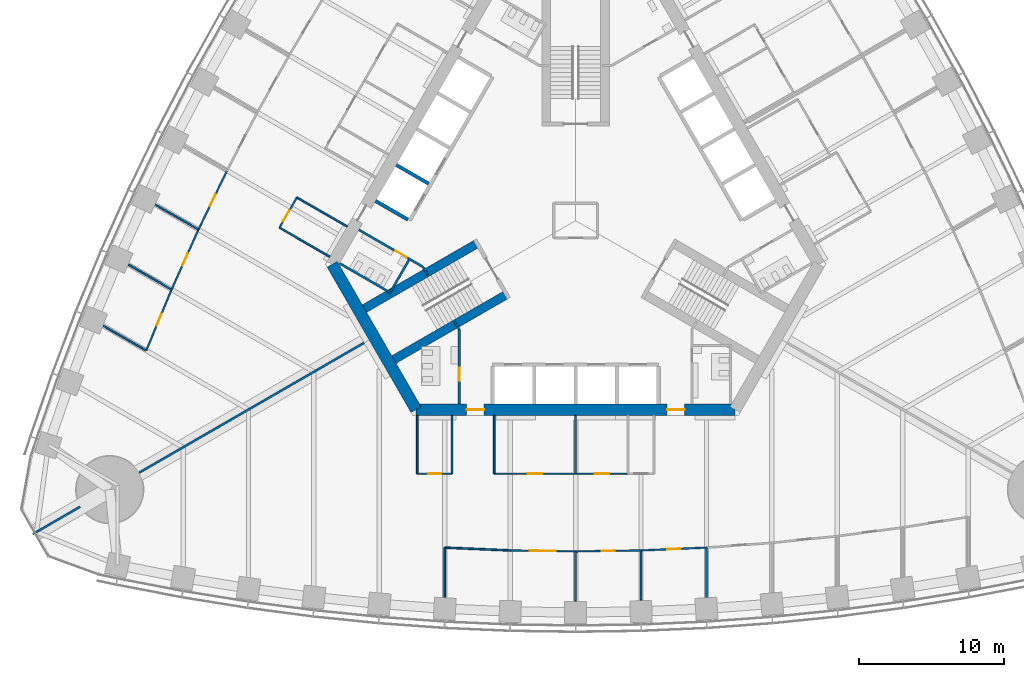
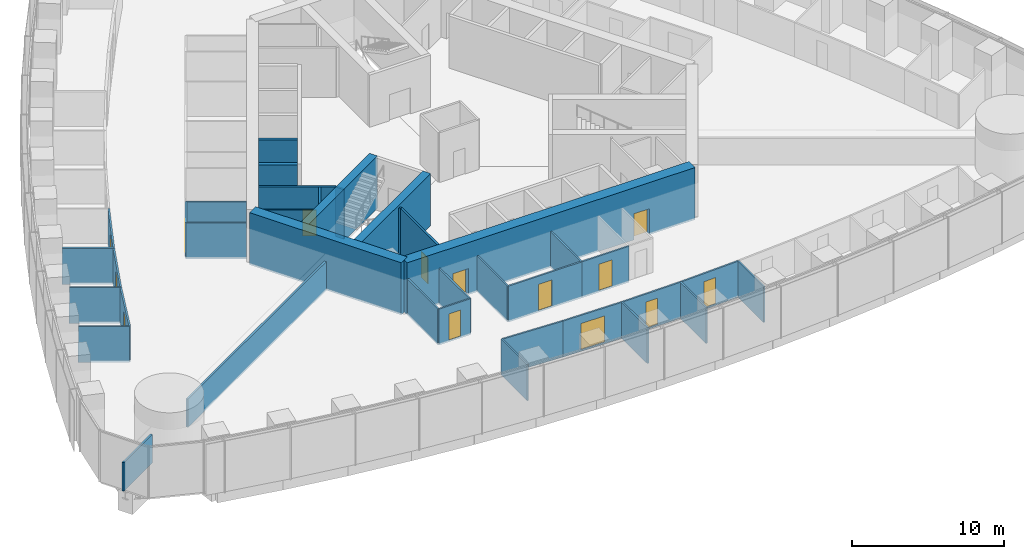
# One storey, part 10 of 19: 38 walls, 14 doors, 14 openings.
"""IFC4 building model written with IfcOpenShell, lengths in metres."""

import ifcopenshell
import ifcopenshell.guid

model = None  # the IFC model being written
_history = None  # IfcOwnerHistory: only IFC2X3 demands one
_inside = {}  # id of a spatial element -> (the spatial element, [elements in it])
_under = {}  # id of a project, library or spatial element -> (it, [spatial elements below it])
_declared = {}  # id of a project -> (the project, [libraries it declares])
_typed = {}  # id of a type object -> (the type object, [elements of that type])
_made_of = {}  # id of a material, layer set ... -> (it, [elements and type objects made of it])


def new_model(schema):
    """Start an empty IFC model of exactly this schema.

    Asked for "IFC4X3", IfcOpenShell would pick the latest addendum, in which some entities
    have other attributes; the version numbers below select the first issue.
    IFC2X3 requires an IfcOwnerHistory on every rooted entity: one is made here for all.
    """
    global model, _history
    if schema == "IFC4X3":
        model = ifcopenshell.file(schema_version=(4, 3, 0, 0))
    else:
        model = ifcopenshell.file(schema=schema)
    _inside.clear()
    _under.clear()
    _declared.clear()
    _typed.clear()
    _made_of.clear()
    _history = None
    if model.schema == "IFC2X3":
        org = make("IfcOrganization", Name="unknown")
        user = make(
            "IfcPersonAndOrganization",
            ThePerson=make("IfcPerson", FamilyName="unknown"),
            TheOrganization=org,
        )
        app = make(
            "IfcApplication",
            ApplicationDeveloper=org,
            Version="unknown",
            ApplicationFullName="unknown",
            ApplicationIdentifier="unknown",
        )
        _history = make(
            "IfcOwnerHistory",
            OwningUser=user,
            OwningApplication=app,
            ChangeAction="ADDED",
            CreationDate=0,
        )
    return model


def make(cls, **values):
    """One entity of the class cls with the attributes given. An attribute that is None is left unset."""
    return model.create_entity(
        cls, **{name: value for name, value in values.items() if value is not None}
    )


def rooted(cls, **values):
    """An entity with a GlobalId (a new one), such as an element, a storey or a relation."""
    return make(cls, GlobalId=ifcopenshell.guid.new(), OwnerHistory=_history, **values)


def si_unit(unit_type, name, prefix=None):
    """IfcSIUnit, for example si_unit("LENGTHUNIT", "METRE", prefix="MILLI")."""
    return make("IfcSIUnit", UnitType=unit_type, Prefix=prefix, Name=name)


def assignment(units):
    """IfcUnitAssignment: the units of a project."""
    return None if units is None else make("IfcUnitAssignment", Units=units)


def point(xyz):
    """IfcCartesianPoint."""
    return None if xyz is None else make("IfcCartesianPoint", Coordinates=xyz)


def direction(xyz):
    """IfcDirection."""
    return None if xyz is None else make("IfcDirection", DirectionRatios=xyz)


def frame(location, z_axis=None, x_axis=None):
    """IfcAxis2Placement3D, a coordinate frame: its origin and axes. An axis left out is left unset."""
    return make(
        "IfcAxis2Placement3D",
        Location=point(location),
        Axis=direction(z_axis),
        RefDirection=direction(x_axis),
    )


def frame_2d(location, x_axis=None):
    """IfcAxis2Placement2D, a coordinate frame in the plane: its origin and x axis."""
    return make(
        "IfcAxis2Placement2D", Location=point(location), RefDirection=direction(x_axis)
    )


def origin():
    """The frame at (0, 0, 0) with its axes left unset."""
    return frame((0.0, 0.0, 0.0))


def place(relative_to, where):
    """IfcLocalPlacement: puts the frame where relative to a parent placement (None: the world)."""
    return make(
        "IfcLocalPlacement", PlacementRelTo=relative_to, RelativePlacement=where
    )


def context(
    kind, dimensions, precision=None, world=None, true_north=None, identifier=None
):
    """IfcGeometricRepresentationContext, for example the 3D "Model" context."""
    return make(
        "IfcGeometricRepresentationContext",
        ContextIdentifier=identifier,
        ContextType=kind,
        CoordinateSpaceDimension=dimensions,
        Precision=precision,
        WorldCoordinateSystem=world,
        TrueNorth=true_north,
    )


def subcontext(parent, identifier, kind, view, scale=None):
    """IfcGeometricRepresentationSubContext, for example "Body" below "Model"."""
    return make(
        "IfcGeometricRepresentationSubContext",
        ContextIdentifier=identifier,
        ContextType=kind,
        ParentContext=parent,
        TargetScale=scale,
        TargetView=view,
    )


def project(units=None, contexts=None):
    """IfcProject with its units and contexts."""
    return rooted(
        "IfcProject",
        Name="project",
        RepresentationContexts=contexts,
        UnitsInContext=assignment(units),
    )


def spatial(cls, under=None, at=None, **own):
    """A site, building, storey or space (cls), placed at a placement, below another one or the project."""
    s = rooted(cls, ObjectPlacement=at, **own)
    if under is not None:
        _under.setdefault(under.id(), (under, []))[1].append(s)
    return s


def profile(cls, at=None, kind="AREA", **sizes):
    """A parametric profile (cls). Its sizes go by their IFC names, for example OverallWidth=200.0."""
    return make(cls, ProfileType=kind, Position=at, **sizes)


def rectangle(**sizes):
    """IfcRectangleProfileDef."""
    return profile("IfcRectangleProfileDef", **sizes)


def extrude(swept, where, along, depth):
    """IfcExtrudedAreaSolid: the profile swept, set in the frame where, extruded along a direction by depth."""
    return make(
        "IfcExtrudedAreaSolid",
        SweptArea=swept,
        Position=where,
        ExtrudedDirection=direction(along),
        Depth=depth,
    )


def shape(context_of_items, identifier, shape_type, items):
    """IfcShapeRepresentation: the items that make up one representation, for example the "Body"."""
    return make(
        "IfcShapeRepresentation",
        ContextOfItems=context_of_items,
        RepresentationIdentifier=identifier,
        RepresentationType=shape_type,
        Items=items,
    )


def material(Name=None, Category=None):
    """IfcMaterial."""
    return make("IfcMaterial", Name=Name, Category=Category)


def layer(
    of_material, thickness, ventilated=None, Name=None, Category=None, Priority=None
):
    """IfcMaterialLayer: one layer of a wall or slab, of a material (None: an air gap)."""
    return make(
        "IfcMaterialLayer",
        Material=of_material,
        LayerThickness=thickness,
        IsVentilated=ventilated,
        Name=Name,
        Category=Category,
        Priority=Priority,
    )


def layer_set(layers, Name=None):
    """IfcMaterialLayerSet."""
    return make("IfcMaterialLayerSet", MaterialLayers=layers, LayerSetName=Name)


def made_of(thing, what):
    """Note that an element or type object is made of a material, layer set ...; save() writes the relation."""
    if what is not None:
        _made_of.setdefault(what.id(), (what, []))[1].append(thing)
    return thing


def type_object(cls, material=None, **own):
    """A type object (cls), such as IfcWallType, which elements share."""
    return made_of(rooted(cls, **own), material)


def element(
    cls,
    number,
    at=None,
    inside=None,
    cuts=None,
    type_object=None,
    material=None,
    context=None,
    identifier="Body",
    shape_type=None,
    held_by="IfcProductDefinitionShape",
    body=None,
    shapes=None,
    **own,
):
    """One element of the class cls, such as IfcWall. Its Tag is "e" and its number.

    at: its placement. inside: the storey or other place that contains it. cuts: it is an
    opening in that element (IfcRelVoidsElement). A single representation is given by context,
    identifier, shape_type and body (its items); several are given by shapes. held_by: the class
    of the entity that holds the representations. save() writes the other relations.
    """
    e = rooted(cls, Tag="e%d" % number, ObjectPlacement=at, **own)
    if body is not None:
        shapes = [shape(context, identifier, shape_type, body)]
    if shapes is not None:
        e.Representation = make(held_by, Representations=shapes)
    if inside is not None:
        _inside.setdefault(inside.id(), (inside, []))[1].append(e)
    if cuts is not None:
        rooted(
            "IfcRelVoidsElement", RelatingBuildingElement=cuts, RelatedOpeningElement=e
        )
    if type_object is not None:
        _typed.setdefault(type_object.id(), (type_object, []))[1].append(e)
    return made_of(e, material)


def fill(opening, filler):
    """IfcRelFillsElement: the door or window that sits in an opening."""
    return rooted(
        "IfcRelFillsElement",
        RelatingOpeningElement=opening,
        RelatedBuildingElement=filler,
    )


def aggregate(whole, parts):
    """IfcRelAggregates: a whole, such as a stair, and the parts it consists of."""
    return rooted("IfcRelAggregates", RelatingObject=whole, RelatedObjects=parts)


def save(model, path):
    """Write the relations noted so far, then the file.

    IfcRelAggregates (storeys below a building ...), IfcRelContainedInSpatialStructure (elements
    in a storey), IfcRelDefinesByType, IfcRelAssociatesMaterial and IfcRelDeclares: one each for
    every whole, place, type object, material and project.
    """
    for whole, parts in _under.values():
        aggregate(whole, parts)
    for where, things in _inside.values():
        rooted(
            "IfcRelContainedInSpatialStructure",
            RelatedElements=things,
            RelatingStructure=where,
        )
    for kind, things in _typed.values():
        rooted("IfcRelDefinesByType", RelatedObjects=things, RelatingType=kind)
    for what, things in _made_of.values():
        rooted("IfcRelAssociatesMaterial", RelatedObjects=things, RelatingMaterial=what)
    for by, libraries in _declared.values():
        rooted("IfcRelDeclares", RelatingContext=by, RelatedDefinitions=libraries)
    model.write(path)


model = new_model("IFC4")

# Units and contexts
model_context = context("Model", 3, precision=1e-05, world=origin(), true_north=direction((0.0, 1.0)))
body_context = subcontext(model_context, "Body", "Model", "MODEL_VIEW")
ifc_project = project(units=[si_unit("LENGTHUNIT", "METRE"), si_unit("AREAUNIT", "SQUARE_METRE"), si_unit("VOLUMEUNIT", "CUBIC_METRE"), si_unit("PLANEANGLEUNIT", "RADIAN"), si_unit("MASSUNIT", "GRAM", prefix="KILO")], contexts=[model_context])

# Site, building, storey
site_placement = place(None, origin())
site = spatial("IfcSite", under=ifc_project, at=site_placement, CompositionType="ELEMENT")
building_placement = place(site_placement, origin())
building = spatial("IfcBuilding", under=site, at=building_placement, Name="Trefoil Bronze Tower", CompositionType="ELEMENT")
storey_placement = place(building_placement, frame((0.0, 0.0, 20.699951171875)))
storey = spatial("IfcBuildingStorey", under=building, at=storey_placement, Name="L04", CompositionType="ELEMENT", Elevation=20.699951171875)

# Wall, openings, doors
ifc_material_1 = material(Name="Concrete B80", Category="concrete")
ifc_layer_1 = layer(ifc_material_1, 0.800048828125)
ifc_layer_set_1 = layer_set([ifc_layer_1], Name="Core wall 800")
wall_type_1 = type_object("IfcWallType", Name="Core wall 800", PredefinedType="SHEAR", material=ifc_layer_set_1)
wall_1_placement = place(storey_placement, frame((-10.9697265625, -13.0, 0.0), z_axis=(0.0, 0.0, 1.0), x_axis=(1.0, 0.0, 0.0)))
wall_1 = element("IfcWall", 1, at=wall_1_placement, inside=storey, type_object=wall_type_1, Name="Core long wall 1 L04", PredefinedType="SHEAR", context=body_context, shape_type="SweptSolid", body=[
    extrude(rectangle(XDim=21.939453125, YDim=0.800048828125, at=frame_2d((10.9697265625, 0.0))), origin(), (0.0, 0.0, 1.0), 4.199951171875),
])
opening_1_placement = place(wall_1_placement, frame((17.269775390625, 0.0, 0.0)))
opening_1 = element("IfcOpeningElement", 2, at=opening_1_placement, cuts=wall_1, Name="Opening D2", PredefinedType="OPENING", context=body_context, shape_type="SweptSolid", body=[
    extrude(rectangle(XDim=1.199951171875, YDim=2.10009765625, at=frame_2d((0.60009765625, 1.050048828125))), frame((0.0, 0.409912109375, 0.0), z_axis=(0.0, -1.0, 0.0), x_axis=(1.0, 0.0, 0.0)), (0.0, 0.0, 1.0), 0.820068359375),
])
opening_2_placement = place(wall_1_placement, frame((3.4697265625, 0.0, 0.0)))
opening_2 = element("IfcOpeningElement", 3, at=opening_2_placement, cuts=wall_1, Name="Opening D2", PredefinedType="OPENING", context=body_context, shape_type="SweptSolid", body=[
    extrude(rectangle(XDim=1.199951171875, YDim=2.10009765625, at=frame_2d((0.60009765625, 1.050048828125))), frame((0.0, 0.409912109375, 0.0), z_axis=(0.0, -1.0, 0.0), x_axis=(1.0, 0.0, 0.0)), (0.0, 0.0, 1.0), 0.820068359375),
])
ifc_material_2 = material(Name="Steel door", Category="steel")
door_type_1 = type_object("IfcDoorType", Name="Lobby door 1200", OperationType="SINGLE_SWING_RIGHT", PredefinedType="DOOR", material=ifc_material_2)
door_1_placement = place(opening_1_placement, origin())
door_1 = element("IfcDoor", 4, at=door_1_placement, inside=storey, type_object=door_type_1, Name="Lobby door F1+ L04", OperationType="SINGLE_SWING_RIGHT", OverallHeight=2.10009765625, OverallWidth=1.199951171875, PredefinedType="DOOR", context=body_context, shape_type="SweptSolid", body=[
    extrude(rectangle(XDim=1.199951171875, YDim=2.10009765625, at=frame_2d((0.60009765625, 1.050048828125))), frame((0.0, 0.02490234375, 0.0), z_axis=(0.0, -1.0, 0.0), x_axis=(1.0, 0.0, 0.0)), (0.0, 0.0, 1.0), 0.050048828125),
])
fill(opening_1, door_1)
door_2_placement = place(opening_2_placement, origin())
door_2 = element("IfcDoor", 5, at=door_2_placement, inside=storey, type_object=door_type_1, Name="Lobby door F1- L04", OperationType="SINGLE_SWING_LEFT", OverallHeight=2.10009765625, OverallWidth=1.199951171875, PredefinedType="DOOR", context=body_context, shape_type="SweptSolid", body=[
    extrude(rectangle(XDim=1.199951171875, YDim=2.10009765625, at=frame_2d((0.60009765625, 1.050048828125))), frame((0.0, 0.02490234375, 0.0), z_axis=(0.0, -1.0, 0.0), x_axis=(1.0, 0.0, 0.0)), (0.0, 0.0, 1.0), 0.050048828125),
])
fill(opening_2, door_2)

# Wall
wall_2_placement = place(storey_placement, frame((-16.7431640625, -3.0, 0.0), z_axis=(0.0, 0.0, 1.0), x_axis=(0.499995765644, -0.866027848477, 0.0)))
element("IfcWall", 6, at=wall_2_placement, inside=storey, type_object=wall_type_1, Name="Core short wall 3 L04", PredefinedType="SHEAR", context=body_context, shape_type="SweptSolid", body=[
    extrude(rectangle(XDim=11.546875, YDim=0.800048828125, at=frame_2d((5.7734375, 0.0))), origin(), (0.0, 0.0, 1.0), 4.199951171875),
])

# Wall, opening, door
ifc_material_3 = material(Name="Glazed partition", Category="glass")
ifc_layer_2 = layer(ifc_material_3, 0.1201171875)
ifc_layer_set_2 = layer_set([ifc_layer_2], Name="Glazed partition 120")
wall_type_2 = type_object("IfcWallType", Name="Glazed partition 120", PredefinedType="PARTITIONING", material=ifc_layer_set_2)
wall_3_placement = place(storey_placement, frame((0.0, -17.39990234375, 0.0), z_axis=(0.0, 0.0, 1.0), x_axis=(1.0, 0.0, 0.0)))
wall_3 = element("IfcWall", 7, at=wall_3_placement, inside=storey, type_object=wall_type_2, Name="Partition F1 L04", PredefinedType="PARTITIONING", context=body_context, shape_type="SweptSolid", body=[
    extrude(rectangle(XDim=3.60009765625, YDim=0.1201171875, at=frame_2d((1.800048828125, 0.0))), origin(), (0.0, 0.0, 1.0), 2.900146484375),
])
opening_3_placement = place(wall_3_placement, frame((1.300048828125, 0.0, 0.14990234375)))
opening_3 = element("IfcOpeningElement", 8, at=opening_3_placement, cuts=wall_3, Name="Opening D9", PredefinedType="OPENING", context=body_context, shape_type="SweptSolid", body=[
    extrude(rectangle(XDim=1.0, YDim=2.10009765625, at=frame_2d((0.5, 1.050048828125))), frame((0.0, 0.070068359375, 0.0), z_axis=(0.0, -1.0, 0.0), x_axis=(1.0, 0.0, 0.0)), (0.0, 0.0, 1.0), 0.14013671875),
])
ifc_material_4 = material(Name="Glazed timber door", Category="wood")
door_type_2 = type_object("IfcDoorType", Name="Meeting room door 1000", OperationType="SINGLE_SWING_LEFT", PredefinedType="DOOR", material=ifc_material_4)
door_3_placement = place(opening_3_placement, origin())
door_3 = element("IfcDoor", 9, at=door_3_placement, inside=storey, type_object=door_type_2, Name="Meeting room door F1 L04", OperationType="SINGLE_SWING_LEFT", OverallHeight=2.10009765625, OverallWidth=1.0, PredefinedType="DOOR", context=body_context, shape_type="SweptSolid", body=[
    extrude(rectangle(XDim=1.0, YDim=2.10009765625, at=frame_2d((0.5, 1.050048828125))), frame((0.0, 0.02490234375, 0.0), z_axis=(0.0, -1.0, 0.0), x_axis=(1.0, 0.0, 0.0)), (0.0, 0.0, 1.0), 0.050048828125),
])
fill(opening_3, door_3)

wall_4_placement = place(storey_placement, frame((-10.89990234375, -17.39990234375, 0.0), z_axis=(0.0, 0.0, 1.0), x_axis=(1.0, 0.0, 0.0)))
wall_4 = element("IfcWall", 10, at=wall_4_placement, inside=storey, type_object=wall_type_2, Name="Partition F1 L04", PredefinedType="PARTITIONING", context=body_context, shape_type="SweptSolid", body=[
    extrude(rectangle(XDim=2.39990234375, YDim=0.1201171875, at=frame_2d((1.199951171875, 0.0))), origin(), (0.0, 0.0, 1.0), 2.900146484375),
])
opening_4_placement = place(wall_4_placement, frame((0.75, 0.0, 0.14990234375)))
opening_4 = element("IfcOpeningElement", 11, at=opening_4_placement, cuts=wall_4, Name="Opening D8", PredefinedType="OPENING", context=body_context, shape_type="SweptSolid", body=[
    extrude(rectangle(XDim=0.89990234375, YDim=2.10009765625, at=frame_2d((0.449951171875, 1.050048828125))), frame((0.0, 0.070068359375, 0.0), z_axis=(0.0, -1.0, 0.0), x_axis=(1.0, 0.0, 0.0)), (0.0, 0.0, 1.0), 0.14013671875),
])
ifc_material_5 = material(Name="Timber door", Category="wood")
door_type_3 = type_object("IfcDoorType", Name="Office door 900", OperationType="SINGLE_SWING_LEFT", PredefinedType="DOOR", material=ifc_material_5)
door_4_placement = place(opening_4_placement, origin())
door_4 = element("IfcDoor", 12, at=door_4_placement, inside=storey, type_object=door_type_3, Name="Print and store room door F1 L04", OperationType="SINGLE_SWING_LEFT", OverallHeight=2.10009765625, OverallWidth=0.89990234375, PredefinedType="DOOR", context=body_context, shape_type="SweptSolid", body=[
    extrude(rectangle(XDim=0.89990234375, YDim=2.10009765625, at=frame_2d((0.449951171875, 1.050048828125))), frame((0.0, 0.02490234375, 0.0), z_axis=(0.0, -1.0, 0.0), x_axis=(1.0, 0.0, 0.0)), (0.0, 0.0, 1.0), 0.050048828125),
])
fill(opening_4, door_4)

wall_5_placement = place(storey_placement, frame((-5.60009765625, -17.39990234375, 0.0), z_axis=(0.0, 0.0, 1.0), x_axis=(1.0, 0.0, 0.0)))
wall_5 = element("IfcWall", 13, at=wall_5_placement, inside=storey, type_object=wall_type_2, Name="Partition F1 L04", PredefinedType="PARTITIONING", context=body_context, shape_type="SweptSolid", body=[
    extrude(rectangle(XDim=5.60009765625, YDim=0.1201171875, at=frame_2d((2.800048828125, 0.0))), origin(), (0.0, 0.0, 1.0), 2.900146484375),
])
opening_5_placement = place(wall_5_placement, frame((2.300048828125, 0.0, 0.14990234375)))
opening_5 = element("IfcOpeningElement", 14, at=opening_5_placement, cuts=wall_5, Name="Opening D9", PredefinedType="OPENING", context=body_context, shape_type="SweptSolid", body=[
    extrude(rectangle(XDim=1.0, YDim=2.10009765625, at=frame_2d((0.5, 1.050048828125))), frame((0.0, 0.070068359375, 0.0), z_axis=(0.0, -1.0, 0.0), x_axis=(1.0, 0.0, 0.0)), (0.0, 0.0, 1.0), 0.14013671875),
])
door_5_placement = place(opening_5_placement, origin())
door_5 = element("IfcDoor", 15, at=door_5_placement, inside=storey, type_object=door_type_2, Name="Meeting room door F1 L04", OperationType="SINGLE_SWING_LEFT", OverallHeight=2.10009765625, OverallWidth=1.0, PredefinedType="DOOR", context=body_context, shape_type="SweptSolid", body=[
    extrude(rectangle(XDim=1.0, YDim=2.10009765625, at=frame_2d((0.5, 1.050048828125))), frame((0.0, 0.02490234375, 0.0), z_axis=(0.0, -1.0, 0.0), x_axis=(1.0, 0.0, 0.0)), (0.0, 0.0, 1.0), 0.050048828125),
])
fill(opening_5, door_5)

# Walls
for number, where, z_axis, x_axis, name in (
    (16, (0.0, -13.39990234375, 0.0), (0.0, 0.0, 1.0), (0.0, -1.0, 0.0), "Partition F1 L04"),
    (17, (-10.89990234375, -13.39990234375, 0.0), (0.0, 0.0, 1.0), (0.0, -1.0, 0.0), "Partition F1 L04"),
    (18, (-5.60009765625, -13.39990234375, 0.0), (0.0, 0.0, 1.0), (0.0, -1.0, 0.0), "Partition F1 L04"),
    (19, (-8.5, -13.39990234375, 0.0), (0.0, 0.0, 1.0), (0.0, -1.0, 0.0), "Partition F1 L04"),
):
    element("IfcWall", number, at=place(storey_placement, frame(where, z_axis=z_axis, x_axis=x_axis)), inside=storey, type_object=wall_type_2, Name=name, PredefinedType="PARTITIONING", context=body_context, shape_type="SweptSolid", body=[
        extrude(rectangle(XDim=4.0, YDim=0.1201171875, at=frame_2d((2.0, 0.0))), origin(), (0.0, 0.0, 1.0), 2.900146484375),
    ])

# Wall, opening, door
wall_6_placement = place(storey_placement, frame((0.0, -22.748779296875, 0.0), z_axis=(0.0, 0.0, 1.0), x_axis=(0.999894311967, 0.014538393859, 0.0)))
wall_6 = element("IfcWall", 20, at=wall_6_placement, inside=storey, type_object=wall_type_2, Name="Partition F1 L04", PredefinedType="PARTITIONING", context=body_context, shape_type="SweptSolid", body=[
    extrude(rectangle(XDim=4.50048828125, YDim=0.1201171875, at=frame_2d((2.250244140625, 0.0))), origin(), (0.0, 0.0, 1.0), 2.900146484375),
])
opening_6_placement = place(wall_6_placement, frame((1.800048828125, 0.0, 0.14990234375)))
opening_6 = element("IfcOpeningElement", 21, at=opening_6_placement, cuts=wall_6, Name="Opening D8", PredefinedType="OPENING", context=body_context, shape_type="SweptSolid", body=[
    extrude(rectangle(XDim=0.89990234375, YDim=2.10009765625, at=frame_2d((0.449951171875, 1.050048828125))), frame((0.0, 0.070068359375, 0.0), z_axis=(0.0, -1.0, 0.0), x_axis=(1.0, 0.0, 0.0)), (0.0, 0.0, 1.0), 0.14013671875),
])
door_6_placement = place(opening_6_placement, frame((0.89990234375, 0.0, 0.0), z_axis=(0.0, 0.0, 1.0), x_axis=(-1.0, 0.0, 0.0)))
door_6 = element("IfcDoor", 22, at=door_6_placement, inside=storey, type_object=door_type_3, Name="Office door F1 L04", OperationType="SINGLE_SWING_RIGHT", OverallHeight=2.10009765625, OverallWidth=0.89990234375, PredefinedType="DOOR", context=body_context, shape_type="SweptSolid", body=[
    extrude(rectangle(XDim=0.89990234375, YDim=2.10009765625, at=frame_2d((0.449951171875, 1.050048828125))), frame((0.0, 0.02490234375, 0.0), z_axis=(0.0, -1.0, 0.0), x_axis=(1.0, 0.0, 0.0)), (0.0, 0.0, 1.0), 0.050048828125),
])
fill(opening_6, door_6)

wall_7_placement = place(storey_placement, frame((4.5, -22.683349609375, 0.0), z_axis=(0.0, 0.0, 1.0), x_axis=(0.999052370647, 0.043524254212, 0.0)))
wall_7 = element("IfcWall", 23, at=wall_7_placement, inside=storey, type_object=wall_type_2, Name="Partition F1 L04", PredefinedType="PARTITIONING", context=body_context, shape_type="SweptSolid", body=[
    extrude(rectangle(XDim=4.504150390625, YDim=0.1201171875, at=frame_2d((2.251953125, 0.0))), origin(), (0.0, 0.0, 1.0), 2.900146484375),
])
opening_7_placement = place(wall_7_placement, frame((1.800048828125, 0.0, 0.14990234375)))
opening_7 = element("IfcOpeningElement", 24, at=opening_7_placement, cuts=wall_7, Name="Opening D8", PredefinedType="OPENING", context=body_context, shape_type="SweptSolid", body=[
    extrude(rectangle(XDim=0.89990234375, YDim=2.10009765625, at=frame_2d((0.449951171875, 1.050048828125))), frame((0.0, 0.070068359375, 0.0), z_axis=(0.0, -1.0, 0.0), x_axis=(1.0, 0.0, 0.0)), (0.0, 0.0, 1.0), 0.14013671875),
])
door_7_placement = place(opening_7_placement, frame((0.89990234375, 0.0, 0.0), z_axis=(0.0, 0.0, 1.0), x_axis=(-1.0, 0.0, 0.0)))
door_7 = element("IfcDoor", 25, at=door_7_placement, inside=storey, type_object=door_type_3, Name="Office door F1 L04", OperationType="SINGLE_SWING_RIGHT", OverallHeight=2.10009765625, OverallWidth=0.89990234375, PredefinedType="DOOR", context=body_context, shape_type="SweptSolid", body=[
    extrude(rectangle(XDim=0.89990234375, YDim=2.10009765625, at=frame_2d((0.449951171875, 1.050048828125))), frame((0.0, 0.02490234375, 0.0), z_axis=(0.0, -1.0, 0.0), x_axis=(1.0, 0.0, 0.0)), (0.0, 0.0, 1.0), 0.050048828125),
])
fill(opening_7, door_7)

wall_8_placement = place(storey_placement, frame((-4.5, -22.683349609375, 0.0), z_axis=(0.0, 0.0, 1.0), x_axis=(0.999894311967, -0.014538393859, 0.0)))
wall_8 = element("IfcWall", 26, at=wall_8_placement, inside=storey, type_object=wall_type_2, Name="Partition F1 L04", PredefinedType="PARTITIONING", context=body_context, shape_type="SweptSolid", body=[
    extrude(rectangle(XDim=4.50048828125, YDim=0.1201171875, at=frame_2d((2.250244140625, 0.0))), origin(), (0.0, 0.0, 1.0), 2.900146484375),
])
opening_8_placement = place(wall_8_placement, frame((1.35009765625, 0.0, 0.14990234375)))
opening_8 = element("IfcOpeningElement", 27, at=opening_8_placement, cuts=wall_8, Name="Opening D10", PredefinedType="OPENING", context=body_context, shape_type="SweptSolid", body=[
    extrude(rectangle(XDim=1.800048828125, YDim=2.10009765625, at=frame_2d((0.89990234375, 1.050048828125))), frame((0.0, 0.070068359375, 0.0), z_axis=(0.0, -1.0, 0.0), x_axis=(1.0, 0.0, 0.0)), (0.0, 0.0, 1.0), 0.14013671875),
])
ifc_material_6 = material(Name="Timber door", Category="wood")
door_type_4 = type_object("IfcDoorType", Name="Double door 1800", OperationType="DOUBLE_DOOR_SINGLE_SWING", PredefinedType="DOOR", material=ifc_material_6)
door_8_placement = place(opening_8_placement, frame((1.800048828125, 0.0, 0.0), z_axis=(0.0, 0.0, 1.0), x_axis=(-1.0, 0.0, 0.0)))
door_8 = element("IfcDoor", 28, at=door_8_placement, inside=storey, type_object=door_type_4, Name="Kitchen and breakout door F1 L04", OperationType="DOUBLE_DOOR_SINGLE_SWING", OverallHeight=2.10009765625, OverallWidth=1.800048828125, PredefinedType="DOOR", context=body_context, shape_type="SweptSolid", body=[
    extrude(rectangle(XDim=1.800048828125, YDim=2.10009765625, at=frame_2d((0.89990234375, 1.050048828125))), frame((0.0, 0.02490234375, 0.0), z_axis=(0.0, -1.0, 0.0), x_axis=(1.0, 0.0, 0.0)), (0.0, 0.0, 1.0), 0.050048828125),
])
fill(opening_8, door_8)

# Walls
wall_9_placement = place(storey_placement, frame((-9.0, -22.4873046875, 0.0), z_axis=(0.0, 0.0, 1.0), x_axis=(0.999052370647, -0.043524254212, 0.0)))
element("IfcWall", 29, at=wall_9_placement, inside=storey, type_object=wall_type_2, Name="Partition F1 L04", PredefinedType="PARTITIONING", context=body_context, shape_type="SweptSolid", body=[
    extrude(rectangle(XDim=4.504150390625, YDim=0.1201171875, at=frame_2d((2.251953125, 0.0))), origin(), (0.0, 0.0, 1.0), 2.900146484375),
])
wall_10_placement = place(storey_placement, frame((0.0, -22.748779296875, 0.0), z_axis=(0.0, 0.0, 1.0), x_axis=(0.0, -1.0, 0.0)))
element("IfcWall", 30, at=wall_10_placement, inside=storey, type_object=wall_type_2, Name="Partition F1 L04", PredefinedType="PARTITIONING", context=body_context, shape_type="SweptSolid", body=[
    extrude(rectangle(XDim=3.419921875, YDim=0.1201171875, at=frame_2d((1.7099609375, 0.0))), origin(), (0.0, 0.0, 1.0), 2.900146484375),
])
wall_11_placement = place(storey_placement, frame((4.5, -22.683349609375, 0.0), z_axis=(0.0, 0.0, 1.0), x_axis=(0.0, -1.0, 0.0)))
element("IfcWall", 31, at=wall_11_placement, inside=storey, type_object=wall_type_2, Name="Partition F1 L04", PredefinedType="PARTITIONING", context=body_context, shape_type="SweptSolid", body=[
    extrude(rectangle(XDim=3.41943359375, YDim=0.1201171875, at=frame_2d((1.709716796875, 0.0))), origin(), (0.0, 0.0, 1.0), 2.900146484375),
])
for number, where, z_axis, x_axis, name in (
    (32, (9.0, -22.4873046875, 0.0), (0.0, 0.0, 1.0), (0.0, -1.0, 0.0), "Partition F1 L04"),
    (33, (-9.0, -22.4873046875, 0.0), (0.0, 0.0, 1.0), (0.0, -1.0, 0.0), "Partition F1 L04"),
):
    element("IfcWall", number, at=place(storey_placement, frame(where, z_axis=z_axis, x_axis=x_axis)), inside=storey, type_object=wall_type_2, Name=name, PredefinedType="PARTITIONING", context=body_context, shape_type="SweptSolid", body=[
        extrude(rectangle(XDim=3.41748046875, YDim=0.1201171875, at=frame_2d((1.708740234375, 0.0))), origin(), (0.0, 0.0, 1.0), 2.900146484375),
    ])

# Wall, opening, door
wall_12_placement = place(storey_placement, frame((-19.1689453125, 1.5986328125, 0.0), z_axis=(0.0, 0.0, 1.0), x_axis=(-0.499957262057, -0.866050077142, 0.0)))
wall_12 = element("IfcWall", 34, at=wall_12_placement, inside=storey, type_object=wall_type_2, Name="Partition F3 L04", PredefinedType="PARTITIONING", context=body_context, shape_type="SweptSolid", body=[
    extrude(rectangle(XDim=2.400146484375, YDim=0.1201171875, at=frame_2d((1.2001953125, 0.0))), origin(), (0.0, 0.0, 1.0), 2.900146484375),
])
opening_9_placement = place(wall_12_placement, frame((1.0, 0.0, 0.14990234375)))
opening_9 = element("IfcOpeningElement", 35, at=opening_9_placement, cuts=wall_12, Name="Opening D8", PredefinedType="OPENING", context=body_context, shape_type="SweptSolid", body=[
    extrude(rectangle(XDim=0.89990234375, YDim=2.10009765625, at=frame_2d((0.449951171875, 1.050048828125))), frame((0.0, 0.070068359375, 0.0), z_axis=(0.0, -1.0, 0.0), x_axis=(1.0, 0.0, 0.0)), (0.0, 0.0, 1.0), 0.14013671875),
])
door_9_placement = place(opening_9_placement, origin())
door_9 = element("IfcDoor", 36, at=door_9_placement, inside=storey, type_object=door_type_3, Name="Print and store room door F3 L04", OperationType="SINGLE_SWING_RIGHT", OverallHeight=2.10009765625, OverallWidth=0.89990234375, PredefinedType="DOOR", context=body_context, shape_type="SweptSolid", body=[
    extrude(rectangle(XDim=0.89990234375, YDim=2.10009765625, at=frame_2d((0.449951171875, 1.050048828125))), frame((0.0, 0.02490234375, 0.0), z_axis=(0.0, -1.0, 0.0), x_axis=(1.0, 0.0, 0.0)), (0.0, 0.0, 1.0), 0.050048828125),
])
fill(opening_9, door_9)

# Walls
for number, where, z_axis, x_axis, name in (
    (37, (-16.90478515625, -2.47998046875, 0.0), (0.0, 0.0, 1.0), (-0.866026010844, 0.49999894854, 0.0), "Partition F3 L04"),
    (38, (-15.704833984375, -0.4013671875, 0.0), (0.0, 0.0, 1.0), (-0.866026010844, 0.49999894854, 0.0), "Partition F3 L04"),
):
    element("IfcWall", number, at=place(storey_placement, frame(where, z_axis=z_axis, x_axis=x_axis)), inside=storey, type_object=wall_type_2, Name=name, PredefinedType="PARTITIONING", context=body_context, shape_type="SweptSolid", body=[
        extrude(rectangle(XDim=4.0, YDim=0.1201171875, at=frame_2d((2.0, 0.0))), origin(), (0.0, 0.0, 1.0), 2.900146484375),
    ])

# Wall, opening, door
wall_13_placement = place(storey_placement, frame((-25.941162109375, -0.611328125, 0.0), z_axis=(0.0, 0.0, 1.0), x_axis=(-0.409451055745, -0.912332084796, 0.0)))
wall_13 = element("IfcWall", 39, at=wall_13_placement, inside=storey, type_object=wall_type_2, Name="Partition F3 L04", PredefinedType="PARTITIONING", context=body_context, shape_type="SweptSolid", body=[
    extrude(rectangle(XDim=4.523193359375, YDim=0.1201171875, at=frame_2d((2.26171875, 0.0))), origin(), (0.0, 0.0, 1.0), 2.900146484375),
])
opening_10_placement = place(wall_13_placement, frame((1.800048828125, 0.0, 0.14990234375)))
opening_10 = element("IfcOpeningElement", 40, at=opening_10_placement, cuts=wall_13, Name="Opening D8", PredefinedType="OPENING", context=body_context, shape_type="SweptSolid", body=[
    extrude(rectangle(XDim=0.89990234375, YDim=2.10009765625, at=frame_2d((0.449951171875, 1.050048828125))), frame((0.0, 0.070068359375, 0.0), z_axis=(0.0, -1.0, 0.0), x_axis=(1.0, 0.0, 0.0)), (0.0, 0.0, 1.0), 0.14013671875),
])
door_10_placement = place(opening_10_placement, frame((0.89990234375, 0.0, 0.0), z_axis=(0.0, 0.0, 1.0), x_axis=(-1.0, 0.0, 0.0)))
door_10 = element("IfcDoor", 41, at=door_10_placement, inside=storey, type_object=door_type_3, Name="Office door F3 L04", OperationType="SINGLE_SWING_RIGHT", OverallHeight=2.10009765625, OverallWidth=0.89990234375, PredefinedType="DOOR", context=body_context, shape_type="SweptSolid", body=[
    extrude(rectangle(XDim=0.89990234375, YDim=2.10009765625, at=frame_2d((0.449951171875, 1.050048828125))), frame((0.0, 0.02490234375, 0.0), z_axis=(0.0, -1.0, 0.0), x_axis=(1.0, 0.0, 0.0)), (0.0, 0.0, 1.0), 0.050048828125),
])
fill(opening_10, door_10)

wall_14_placement = place(storey_placement, frame((-27.793212890625, -4.738037109375, 0.0), z_axis=(0.0, 0.0, 1.0), x_axis=(-0.382639984525, -0.923897527999, 0.0)))
wall_14 = element("IfcWall", 42, at=wall_14_placement, inside=storey, type_object=wall_type_2, Name="Partition F3 L04", PredefinedType="PARTITIONING", context=body_context, shape_type="SweptSolid", body=[
    extrude(rectangle(XDim=4.5390625, YDim=0.1201171875, at=frame_2d((2.26953125, 0.0))), origin(), (0.0, 0.0, 1.0), 2.900146484375),
])
opening_11_placement = place(wall_14_placement, frame((1.800048828125, 0.0, 0.14990234375)))
opening_11 = element("IfcOpeningElement", 43, at=opening_11_placement, cuts=wall_14, Name="Opening D8", PredefinedType="OPENING", context=body_context, shape_type="SweptSolid", body=[
    extrude(rectangle(XDim=0.89990234375, YDim=2.10009765625, at=frame_2d((0.449951171875, 1.050048828125))), frame((0.0, 0.070068359375, 0.0), z_axis=(0.0, -1.0, 0.0), x_axis=(1.0, 0.0, 0.0)), (0.0, 0.0, 1.0), 0.14013671875),
])
door_11_placement = place(opening_11_placement, frame((0.89990234375, 0.0, 0.0), z_axis=(0.0, 0.0, 1.0), x_axis=(-1.0, 0.0, 0.0)))
door_11 = element("IfcDoor", 44, at=door_11_placement, inside=storey, type_object=door_type_3, Name="Office door F3 L04", OperationType="SINGLE_SWING_RIGHT", OverallHeight=2.10009765625, OverallWidth=0.89990234375, PredefinedType="DOOR", context=body_context, shape_type="SweptSolid", body=[
    extrude(rectangle(XDim=0.89990234375, YDim=2.10009765625, at=frame_2d((0.449951171875, 1.050048828125))), frame((0.0, 0.02490234375, 0.0), z_axis=(0.0, -1.0, 0.0), x_axis=(1.0, 0.0, 0.0)), (0.0, 0.0, 1.0), 0.050048828125),
])
fill(opening_11, door_11)

wall_15_placement = place(storey_placement, frame((-23.974609375, 3.449462890625, 0.0), z_axis=(0.0, 0.0, 1.0), x_axis=(-0.435857917556, -0.900015486369, 0.0)))
wall_15 = element("IfcWall", 45, at=wall_15_placement, inside=storey, type_object=wall_type_2, Name="Partition F3 L04", PredefinedType="PARTITIONING", context=body_context, shape_type="SweptSolid", body=[
    extrude(rectangle(XDim=4.511962890625, YDim=0.1201171875, at=frame_2d((2.255859375, 0.0))), origin(), (0.0, 0.0, 1.0), 2.900146484375),
])
opening_12_placement = place(wall_15_placement, frame((1.800048828125, 0.0, 0.14990234375)))
opening_12 = element("IfcOpeningElement", 46, at=opening_12_placement, cuts=wall_15, Name="Opening D8", PredefinedType="OPENING", context=body_context, shape_type="SweptSolid", body=[
    extrude(rectangle(XDim=0.89990234375, YDim=2.10009765625, at=frame_2d((0.449951171875, 1.050048828125))), frame((0.0, 0.070068359375, 0.0), z_axis=(0.0, -1.0, 0.0), x_axis=(1.0, 0.0, 0.0)), (0.0, 0.0, 1.0), 0.14013671875),
])
door_12_placement = place(opening_12_placement, frame((0.89990234375, 0.0, 0.0), z_axis=(0.0, 0.0, 1.0), x_axis=(-1.0, 0.0, 0.0)))
door_12 = element("IfcDoor", 47, at=door_12_placement, inside=storey, type_object=door_type_3, Name="Office door F3 L04", OperationType="SINGLE_SWING_RIGHT", OverallHeight=2.10009765625, OverallWidth=0.89990234375, PredefinedType="DOOR", context=body_context, shape_type="SweptSolid", body=[
    extrude(rectangle(XDim=0.89990234375, YDim=2.10009765625, at=frame_2d((0.449951171875, 1.050048828125))), frame((0.0, 0.02490234375, 0.0), z_axis=(0.0, -1.0, 0.0), x_axis=(1.0, 0.0, 0.0)), (0.0, 0.0, 1.0), 0.050048828125),
])
fill(opening_12, door_12)

# Walls
wall_16_placement = place(storey_placement, frame((-25.941162109375, -0.611328125, 0.0), z_axis=(0.0, 0.0, 1.0), x_axis=(-0.866016478054, 0.500015459501, 0.0)))
element("IfcWall", 48, at=wall_16_placement, inside=storey, type_object=wall_type_2, Name="Partition F3 L04", PredefinedType="PARTITIONING", context=body_context, shape_type="SweptSolid", body=[
    extrude(rectangle(XDim=3.4140625, YDim=0.1201171875, at=frame_2d((1.70703125, 0.0))), origin(), (0.0, 0.0, 1.0), 2.900146484375),
])
wall_17_placement = place(storey_placement, frame((-27.793212890625, -4.738037109375, 0.0), z_axis=(0.0, 0.0, 1.0), x_axis=(-0.866040105854, 0.499974534403, 0.0)))
element("IfcWall", 49, at=wall_17_placement, inside=storey, type_object=wall_type_2, Name="Partition F3 L04", PredefinedType="PARTITIONING", context=body_context, shape_type="SweptSolid", body=[
    extrude(rectangle(XDim=3.409423828125, YDim=0.1201171875, at=frame_2d((1.70458984375, 0.0))), origin(), (0.0, 0.0, 1.0), 2.900146484375),
])
wall_18_placement = place(storey_placement, frame((-29.530029296875, -8.931640625, 0.0), z_axis=(0.0, 0.0, 1.0), x_axis=(-0.866018335219, 0.500012242915, 0.0)))
element("IfcWall", 50, at=wall_18_placement, inside=storey, type_object=wall_type_2, Name="Partition F3 L04", PredefinedType="PARTITIONING", context=body_context, shape_type="SweptSolid", body=[
    extrude(rectangle(XDim=3.4033203125, YDim=0.1201171875, at=frame_2d((1.70166015625, 0.0))), origin(), (0.0, 0.0, 1.0), 2.900146484375),
])

# Wall, opening, door
ifc_material_7 = material(Name="Gypsum board on steel studs", Category="steel")
ifc_layer_3 = layer(ifc_material_7, 0.14990234375)
ifc_layer_set_3 = layer_set([ifc_layer_3], Name="Partition 150")
wall_type_3 = type_object("IfcWallType", Name="Partition 150", PredefinedType="PARTITIONING", material=ifc_layer_set_3)
wall_19_placement = place(storey_placement, frame((-8.0, -7.5, 0.0), z_axis=(0.0, 0.0, 1.0), x_axis=(0.0, -1.0, 0.0)))
wall_19 = element("IfcWall", 51, at=wall_19_placement, inside=storey, type_object=wall_type_3, Name="Passage wall F1- L04", PredefinedType="PARTITIONING", context=body_context, shape_type="SweptSolid", body=[
    extrude(rectangle(XDim=5.10009765625, YDim=0.14990234375, at=frame_2d((2.550048828125, 0.0))), origin(), (0.0, 0.0, 1.0), 4.0),
])
opening_13_placement = place(wall_19_placement, frame((2.60009765625, 0.0, 0.0)))
opening_13 = element("IfcOpeningElement", 52, at=opening_13_placement, cuts=wall_19, Name="Opening D3", PredefinedType="OPENING", context=body_context, shape_type="SweptSolid", body=[
    extrude(rectangle(XDim=0.89990234375, YDim=2.10009765625, at=frame_2d((0.449951171875, 1.050048828125))), frame((0.0, 0.0849609375, 0.0), z_axis=(0.0, -1.0, 0.0), x_axis=(1.0, 0.0, 0.0)), (0.0, 0.0, 1.0), 0.169921875),
])
ifc_material_8 = material(Name="Timber door", Category="wood")
door_type_5 = type_object("IfcDoorType", Name="WC door 900", OperationType="SINGLE_SWING_LEFT", PredefinedType="DOOR", material=ifc_material_8)
door_13_placement = place(opening_13_placement, frame((0.89990234375, 0.0, 0.0), z_axis=(0.0, 0.0, 1.0), x_axis=(-1.0, 0.0, 0.0)))
door_13 = element("IfcDoor", 53, at=door_13_placement, inside=storey, type_object=door_type_5, Name="WC (women) door L04", OperationType="SINGLE_SWING_LEFT", OverallHeight=2.10009765625, OverallWidth=0.89990234375, PredefinedType="DOOR", context=body_context, shape_type="SweptSolid", body=[
    extrude(rectangle(XDim=0.89990234375, YDim=2.10009765625, at=frame_2d((0.449951171875, 1.050048828125))), frame((0.0, 0.02490234375, 0.0), z_axis=(0.0, -1.0, 0.0), x_axis=(1.0, 0.0, 0.0)), (0.0, 0.0, 1.0), 0.050048828125),
])
fill(opening_13, door_13)

wall_20_placement = place(storey_placement, frame((-10.4951171875, -3.17822265625, 0.0), z_axis=(0.0, 0.0, 1.0), x_axis=(-0.86602216432, 0.500005610874, 0.0)))
wall_20 = element("IfcWall", 54, at=wall_20_placement, inside=storey, type_object=wall_type_3, Name="Passage wall F3+ L04", PredefinedType="PARTITIONING", context=body_context, shape_type="SweptSolid", body=[
    extrude(rectangle(XDim=5.10009765625, YDim=0.14990234375, at=frame_2d((2.550048828125, 0.0))), origin(), (0.0, 0.0, 1.0), 4.0),
])
opening_14_placement = place(wall_20_placement, frame((1.300048828125, 0.0, 0.0)))
opening_14 = element("IfcOpeningElement", 55, at=opening_14_placement, cuts=wall_20, Name="Opening D3", PredefinedType="OPENING", context=body_context, shape_type="SweptSolid", body=[
    extrude(rectangle(XDim=0.89990234375, YDim=2.10009765625, at=frame_2d((0.449951171875, 1.050048828125))), frame((0.0, 0.0849609375, 0.0), z_axis=(0.0, -1.0, 0.0), x_axis=(1.0, 0.0, 0.0)), (0.0, 0.0, 1.0), 0.169921875),
])
door_14_placement = place(opening_14_placement, origin())
door_14 = element("IfcDoor", 56, at=door_14_placement, inside=storey, type_object=door_type_5, Name="WC (men) door L04", OperationType="SINGLE_SWING_LEFT", OverallHeight=2.10009765625, OverallWidth=0.89990234375, PredefinedType="DOOR", context=body_context, shape_type="SweptSolid", body=[
    extrude(rectangle(XDim=0.89990234375, YDim=2.10009765625, at=frame_2d((0.449951171875, 1.050048828125))), frame((0.0, 0.02490234375, 0.0), z_axis=(0.0, -1.0, 0.0), x_axis=(1.0, 0.0, 0.0)), (0.0, 0.0, 1.0), 0.050048828125),
])
fill(opening_14, door_14)

# Walls
for number, where, z_axis, x_axis, name in (
    (57, (-10.4951171875, -3.17822265625, 0.0), (0.0, 0.0, 1.0), (0.499842556608, -0.866116284689, 0.0), "WC wall ST3-1 L04"),
    (58, (-8.0, -7.5, 0.0), (0.0, 0.0, 1.0), (-0.499842556608, 0.866116284689, 0.0), "WC wall ST3+1 L04"),
):
    element("IfcWall", number, at=place(storey_placement, frame(where, z_axis=z_axis, x_axis=x_axis)), inside=storey, type_object=wall_type_3, Name=name, PredefinedType="PARTITIONING", context=body_context, shape_type="SweptSolid", body=[
        extrude(rectangle(XDim=0.645263671875, YDim=0.14990234375, at=frame_2d((0.32275390625, 0.0))), origin(), (0.0, 0.0, 1.0), 4.0),
    ])
wall_21_placement = place(storey_placement, frame((-12.691162109375, -4.98193359375, 0.0), z_axis=(0.0, 0.0, 1.0), x_axis=(-0.8660249478, 0.500000789788, 0.0)))
element("IfcWall", 59, at=wall_21_placement, inside=storey, type_object=wall_type_3, Name="WC partition WC (men) L04", PredefinedType="PARTITIONING", context=body_context, shape_type="SweptSolid", body=[
    extrude(rectangle(XDim=4.10009765625, YDim=0.14990234375, at=frame_2d((2.050048828125, 0.0))), origin(), (0.0, 0.0, 1.0), 4.0),
])
wall_22_placement = place(storey_placement, frame((-11.463623046875, -2.70556640625, 0.0), z_axis=(0.0, 0.0, 1.0), x_axis=(-0.50001992892, -0.866013897511, 0.0)))
element("IfcWall", 60, at=wall_22_placement, inside=storey, type_object=wall_type_3, Name="WC partition WC (men) L04", PredefinedType="PARTITIONING", context=body_context, shape_type="SweptSolid", body=[
    extrude(rectangle(XDim=2.51025390625, YDim=0.14990234375, at=frame_2d((1.255126953125, 0.0))), origin(), (0.0, 0.0, 1.0), 4.0),
])
ifc_material_9 = material(Name="Gypsum board on steel studs", Category="steel")
ifc_layer_4 = layer(ifc_material_9, 0.14990234375)
ifc_layer_set_4 = layer_set([ifc_layer_4], Name="Party wall 150")
wall_type_4 = type_object("IfcWallType", Name="Party wall 150", PredefinedType="PARTITIONING", material=ifc_layer_set_4)
wall_23_placement = place(storey_placement, frame((-14.202880859375, -8.199951171875, 0.0), z_axis=(0.0, 0.0, 1.0), x_axis=(-0.866024965723, -0.500000758745, 0.0)))
element("IfcWall", 61, at=wall_23_placement, inside=storey, type_object=wall_type_4, Name="Party wall K3 L04", PredefinedType="PARTITIONING", context=body_context, shape_type="SweptSolid", body=[
    extrude(rectangle(XDim=18.25, YDim=0.14990234375, at=frame_2d((9.125, 0.0))), origin(), (0.0, 0.0, 1.0), 2.300048828125),
])
wall_24_placement = place(storey_placement, frame((-34.078125, -19.675048828125, 0.0), z_axis=(0.0, 0.0, 1.0), x_axis=(-0.866019247219, -0.500010663332, 0.0)))
element("IfcWall", 62, at=wall_24_placement, inside=storey, type_object=wall_type_4, Name="Party wall K3 L04", PredefinedType="PARTITIONING", context=body_context, shape_type="SweptSolid", body=[
    extrude(rectangle(XDim=3.76416015625, YDim=0.14990234375, at=frame_2d((1.882080078125, 0.0))), origin(), (0.0, 0.0, 1.0), 2.300048828125),
])
ifc_material_10 = material(Name="Concrete B80", Category="concrete")
ifc_layer_5 = layer(ifc_material_10, 0.25)
ifc_layer_set_5 = layer_set([ifc_layer_5], Name="Shaft wall 250")
wall_type_5 = type_object("IfcWallType", Name="Shaft wall 250", PredefinedType="SHEAR", material=ifc_layer_set_5)
for number, where, z_axis, x_axis, name in (
    (63, (-10.10693359375, 2.54443359375, 0.0), (0.0, 0.0, 1.0), (-0.866046643894, 0.499963209246, 0.0), "Lift shaft side wall C3 L04"),
    (64, (-11.531982421875, 0.076171875, 0.0), (0.0, 0.0, 1.0), (-0.866005588531, 0.500034319456, 0.0), "Lift shaft side wall C4 L04"),
):
    element("IfcWall", number, at=place(storey_placement, frame(where, z_axis=z_axis, x_axis=x_axis)), inside=storey, type_object=wall_type_5, Name=name, PredefinedType="SHEAR", context=body_context, shape_type="SweptSolid", body=[
        extrude(rectangle(XDim=2.574951171875, YDim=0.25, at=frame_2d((1.28759765625, 0.0))), origin(), (0.0, 0.0, 1.0), 4.199951171875),
    ])
ifc_material_11 = material(Name="Concrete B80", Category="concrete")
ifc_layer_6 = layer(ifc_material_11, 0.60009765625)
ifc_layer_set_6 = layer_set([ifc_layer_6], Name="Stair wall 600")
wall_type_6 = type_object("IfcWallType", Name="Stair wall 600", PredefinedType="SHEAR", material=ifc_layer_set_6)
for number, where, z_axis, x_axis, name in (
    (65, (-6.663330078125, -1.5087890625, 0.0), (0.0, 0.0, 1.0), (-0.866019375473, -0.500010441196, 0.0), "Stair wall ST3 L04"),
    (66, (-4.638427734375, -5.01611328125, 0.0), (0.0, 0.0, 1.0), (-0.866019375473, -0.500010441196, 0.0), "Stair wall ST3 L04"),
):
    element("IfcWall", number, at=place(storey_placement, frame(where, z_axis=z_axis, x_axis=x_axis)), inside=storey, type_object=wall_type_6, Name=name, PredefinedType="SHEAR", context=body_context, shape_type="SweptSolid", body=[
        extrude(rectangle(XDim=9.074951171875, YDim=0.60009765625, at=frame_2d((4.53759765625, 0.0))), origin(), (0.0, 0.0, 1.0), 4.199951171875),
    ])

save(model, "model.ifc")
